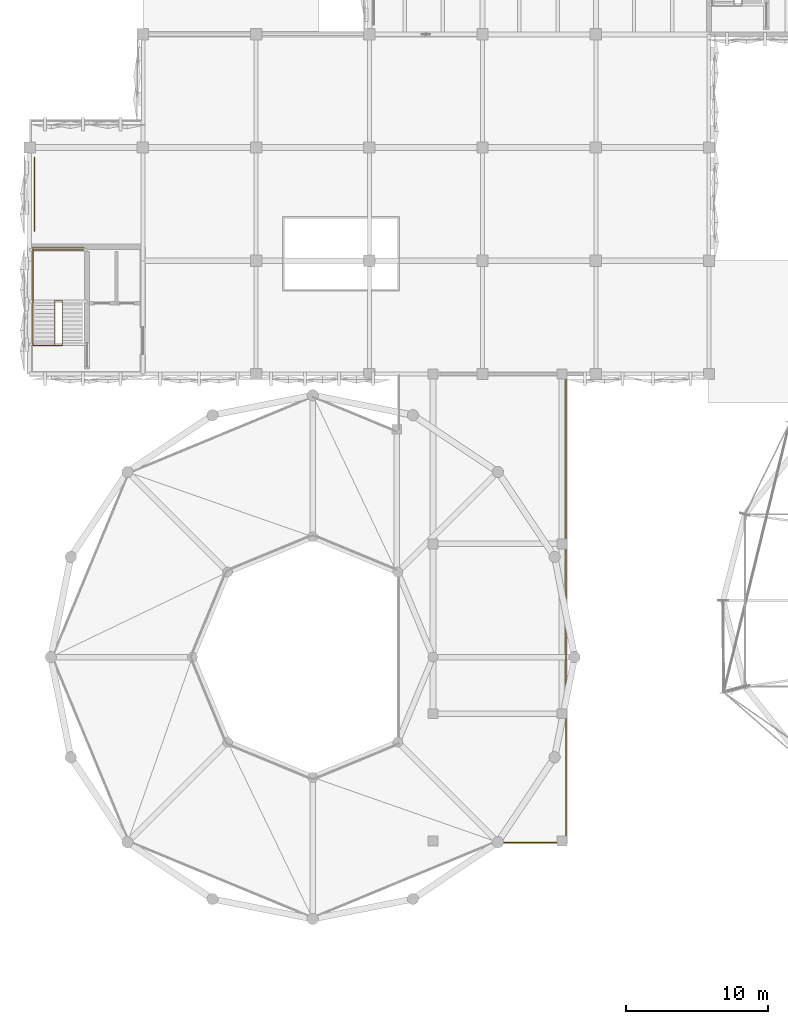
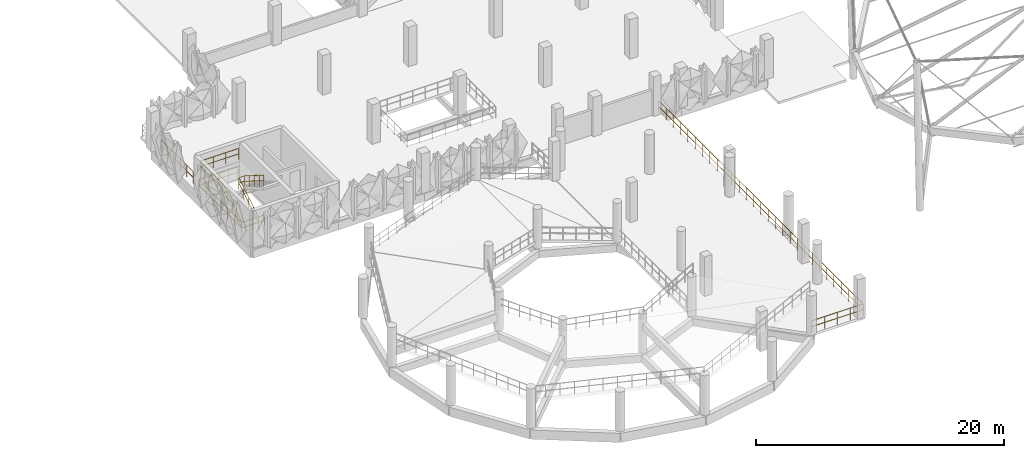
# One storey, part 84 of 96: 5 railings.
"""IFC4 building model written with IfcOpenShell, lengths in metres."""

import ifcopenshell
import ifcopenshell.guid

model = None  # the IFC model being written
_history = None  # IfcOwnerHistory: only IFC2X3 demands one
_inside = {}  # id of a spatial element -> (the spatial element, [elements in it])
_under = {}  # id of a project, library or spatial element -> (it, [spatial elements below it])
_declared = {}  # id of a project -> (the project, [libraries it declares])
_typed = {}  # id of a type object -> (the type object, [elements of that type])
_made_of = {}  # id of a material, layer set ... -> (it, [elements and type objects made of it])


def new_model(schema):
    """Start an empty IFC model of exactly this schema.

    Asked for "IFC4X3", IfcOpenShell would pick the latest addendum, in which some entities
    have other attributes; the version numbers below select the first issue.
    IFC2X3 requires an IfcOwnerHistory on every rooted entity: one is made here for all.
    """
    global model, _history
    if schema == "IFC4X3":
        model = ifcopenshell.file(schema_version=(4, 3, 0, 0))
    else:
        model = ifcopenshell.file(schema=schema)
    _inside.clear()
    _under.clear()
    _declared.clear()
    _typed.clear()
    _made_of.clear()
    _history = None
    if model.schema == "IFC2X3":
        org = make("IfcOrganization", Name="unknown")
        user = make(
            "IfcPersonAndOrganization",
            ThePerson=make("IfcPerson", FamilyName="unknown"),
            TheOrganization=org,
        )
        app = make(
            "IfcApplication",
            ApplicationDeveloper=org,
            Version="unknown",
            ApplicationFullName="unknown",
            ApplicationIdentifier="unknown",
        )
        _history = make(
            "IfcOwnerHistory",
            OwningUser=user,
            OwningApplication=app,
            ChangeAction="ADDED",
            CreationDate=0,
        )
    return model


def make(cls, **values):
    """One entity of the class cls with the attributes given. An attribute that is None is left unset."""
    return model.create_entity(
        cls, **{name: value for name, value in values.items() if value is not None}
    )


def rooted(cls, **values):
    """An entity with a GlobalId (a new one), such as an element, a storey or a relation."""
    return make(cls, GlobalId=ifcopenshell.guid.new(), OwnerHistory=_history, **values)


def si_unit(unit_type, name, prefix=None):
    """IfcSIUnit, for example si_unit("LENGTHUNIT", "METRE", prefix="MILLI")."""
    return make("IfcSIUnit", UnitType=unit_type, Prefix=prefix, Name=name)


def derived_unit(unit_type, elements):
    """IfcDerivedUnit: a product of units, each with its exponent."""
    return make(
        "IfcDerivedUnit",
        Elements=[
            make("IfcDerivedUnitElement", Unit=unit, Exponent=power)
            for unit, power in elements
        ],
        UnitType=unit_type,
    )


def assignment(units):
    """IfcUnitAssignment: the units of a project."""
    return None if units is None else make("IfcUnitAssignment", Units=units)


def point(xyz):
    """IfcCartesianPoint."""
    return None if xyz is None else make("IfcCartesianPoint", Coordinates=xyz)


def direction(xyz):
    """IfcDirection."""
    return None if xyz is None else make("IfcDirection", DirectionRatios=xyz)


def frame(location, z_axis=None, x_axis=None):
    """IfcAxis2Placement3D, a coordinate frame: its origin and axes. An axis left out is left unset."""
    return make(
        "IfcAxis2Placement3D",
        Location=point(location),
        Axis=direction(z_axis),
        RefDirection=direction(x_axis),
    )


def frame_2d(location, x_axis=None):
    """IfcAxis2Placement2D, a coordinate frame in the plane: its origin and x axis."""
    return make(
        "IfcAxis2Placement2D", Location=point(location), RefDirection=direction(x_axis)
    )


def origin():
    """The frame at (0, 0, 0) with its axes left unset."""
    return frame((0.0, 0.0, 0.0))


def origin_2d():
    """The frame at (0, 0) in the plane with its x axis left unset."""
    return frame_2d((0.0, 0.0))


def place(relative_to, where):
    """IfcLocalPlacement: puts the frame where relative to a parent placement (None: the world)."""
    return make(
        "IfcLocalPlacement", PlacementRelTo=relative_to, RelativePlacement=where
    )


def context(
    kind, dimensions, precision=None, world=None, true_north=None, identifier=None
):
    """IfcGeometricRepresentationContext, for example the 3D "Model" context."""
    return make(
        "IfcGeometricRepresentationContext",
        ContextIdentifier=identifier,
        ContextType=kind,
        CoordinateSpaceDimension=dimensions,
        Precision=precision,
        WorldCoordinateSystem=world,
        TrueNorth=true_north,
    )


def subcontext(parent, identifier, kind, view, scale=None):
    """IfcGeometricRepresentationSubContext, for example "Body" below "Model"."""
    return make(
        "IfcGeometricRepresentationSubContext",
        ContextIdentifier=identifier,
        ContextType=kind,
        ParentContext=parent,
        TargetScale=scale,
        TargetView=view,
    )


def project(units=None, contexts=None):
    """IfcProject with its units and contexts."""
    return rooted(
        "IfcProject",
        Name="project",
        RepresentationContexts=contexts,
        UnitsInContext=assignment(units),
    )


def spatial(cls, under=None, at=None, **own):
    """A site, building, storey or space (cls), placed at a placement, below another one or the project."""
    s = rooted(cls, ObjectPlacement=at, **own)
    if under is not None:
        _under.setdefault(under.id(), (under, []))[1].append(s)
    return s


def profile(cls, at=None, kind="AREA", **sizes):
    """A parametric profile (cls). Its sizes go by their IFC names, for example OverallWidth=200.0."""
    return make(cls, ProfileType=kind, Position=at, **sizes)


def circle(**sizes):
    """IfcCircleProfileDef."""
    return profile("IfcCircleProfileDef", **sizes)


def extrude(swept, where, along, depth):
    """IfcExtrudedAreaSolid: the profile swept, set in the frame where, extruded along a direction by depth."""
    return make(
        "IfcExtrudedAreaSolid",
        SweptArea=swept,
        Position=where,
        ExtrudedDirection=direction(along),
        Depth=depth,
    )


def shape(context_of_items, identifier, shape_type, items):
    """IfcShapeRepresentation: the items that make up one representation, for example the "Body"."""
    return make(
        "IfcShapeRepresentation",
        ContextOfItems=context_of_items,
        RepresentationIdentifier=identifier,
        RepresentationType=shape_type,
        Items=items,
    )


def material(Name=None, Category=None):
    """IfcMaterial."""
    return make("IfcMaterial", Name=Name, Category=Category)


def made_of(thing, what):
    """Note that an element or type object is made of a material, layer set ...; save() writes the relation."""
    if what is not None:
        _made_of.setdefault(what.id(), (what, []))[1].append(thing)
    return thing


def type_object(cls, material=None, **own):
    """A type object (cls), such as IfcWallType, which elements share."""
    return made_of(rooted(cls, **own), material)


def element(
    cls,
    number,
    at=None,
    inside=None,
    cuts=None,
    type_object=None,
    material=None,
    context=None,
    identifier="Body",
    shape_type=None,
    held_by="IfcProductDefinitionShape",
    body=None,
    shapes=None,
    **own,
):
    """One element of the class cls, such as IfcWall. Its Tag is "e" and its number.

    at: its placement. inside: the storey or other place that contains it. cuts: it is an
    opening in that element (IfcRelVoidsElement). A single representation is given by context,
    identifier, shape_type and body (its items); several are given by shapes. held_by: the class
    of the entity that holds the representations. save() writes the other relations.
    """
    e = rooted(cls, Tag="e%d" % number, ObjectPlacement=at, **own)
    if body is not None:
        shapes = [shape(context, identifier, shape_type, body)]
    if shapes is not None:
        e.Representation = make(held_by, Representations=shapes)
    if inside is not None:
        _inside.setdefault(inside.id(), (inside, []))[1].append(e)
    if cuts is not None:
        rooted(
            "IfcRelVoidsElement", RelatingBuildingElement=cuts, RelatedOpeningElement=e
        )
    if type_object is not None:
        _typed.setdefault(type_object.id(), (type_object, []))[1].append(e)
    return made_of(e, material)


def aggregate(whole, parts):
    """IfcRelAggregates: a whole, such as a stair, and the parts it consists of."""
    return rooted("IfcRelAggregates", RelatingObject=whole, RelatedObjects=parts)


def save(model, path):
    """Write the relations noted so far, then the file.

    IfcRelAggregates (storeys below a building ...), IfcRelContainedInSpatialStructure (elements
    in a storey), IfcRelDefinesByType, IfcRelAssociatesMaterial and IfcRelDeclares: one each for
    every whole, place, type object, material and project.
    """
    for whole, parts in _under.values():
        aggregate(whole, parts)
    for where, things in _inside.values():
        rooted(
            "IfcRelContainedInSpatialStructure",
            RelatedElements=things,
            RelatingStructure=where,
        )
    for kind, things in _typed.values():
        rooted("IfcRelDefinesByType", RelatedObjects=things, RelatingType=kind)
    for what, things in _made_of.values():
        rooted("IfcRelAssociatesMaterial", RelatedObjects=things, RelatingMaterial=what)
    for by, libraries in _declared.values():
        rooted("IfcRelDeclares", RelatingContext=by, RelatedDefinitions=libraries)
    model.write(path)


model = new_model("IFC4")

# Units and contexts
model_context = context("Model", 3, precision=1e-05, world=origin(), true_north=direction((0.0, 1.0)))
body_context = subcontext(model_context, "Body", "Model", "MODEL_VIEW")
ifc_project = project(units=[si_unit("LENGTHUNIT", "METRE"), si_unit("AREAUNIT", "SQUARE_METRE"), si_unit("VOLUMEUNIT", "CUBIC_METRE"), si_unit("PLANEANGLEUNIT", "RADIAN"), si_unit("MASSUNIT", "GRAM", prefix="KILO"), si_unit("THERMODYNAMICTEMPERATUREUNIT", "KELVIN"), derived_unit("THERMALTRANSMITTANCEUNIT", [(si_unit("POWERUNIT", "WATT"), 1), (si_unit("AREAUNIT", "SQUARE_METRE"), -1), (si_unit("THERMODYNAMICTEMPERATUREUNIT", "KELVIN"), -1)])], contexts=[model_context])

# Site, building, storey
site_placement = place(None, origin())
site = spatial("IfcSite", under=ifc_project, at=site_placement, CompositionType="ELEMENT")
building_placement = place(site_placement, origin())
building = spatial("IfcBuilding", under=site, at=building_placement, Name="Haiyu Intermodal Mobility Hub", CompositionType="ELEMENT")
storey_placement = place(building_placement, frame((0.0, 0.0, 9.5)))
storey = spatial("IfcBuildingStorey", under=building, at=storey_placement, Name="L02", CompositionType="ELEMENT", Elevation=9.5)

# Railings
ifc_material = material(Name="Steel Q355C", Category="steel")
railing_type_1 = type_object("IfcRailingType", Name="RAL-GR01", PredefinedType="GUARDRAIL", material=ifc_material)
railing_1_placement = place(storey_placement, frame((47.10009765625, 46.89990234375, 0.0)))
element("IfcRailing", 1, at=railing_1_placement, inside=storey, type_object=railing_type_1, Name="L02 Ramp Arrival Deck South-East Guard", PredefinedType="GUARDRAIL", context=body_context, shape_type="SweptSolid", body=[
    extrude(circle(Radius=0.02392578125, at=origin_2d()), frame((0.030029296875, 0.0, 1.17578125), z_axis=(1.0, 0.0, 0.0), x_axis=(0.0, 1.0, 0.0)), (0.0, 0.0, 1.0), 4.73974609375),
    extrude(circle(Radius=0.02392578125, at=origin_2d()), frame((0.037353515625, 0.0, 0.60009765625), z_axis=(1.0, 0.0, 0.0), x_axis=(0.0, 1.0, 0.0)), (0.0, 0.0, 1.0), 1.125244140625),
    extrude(circle(Radius=0.02392578125, at=origin_2d()), frame((1.2373046875, 0.0, 0.60009765625), z_axis=(1.0, 0.0, 0.0), x_axis=(0.0, 1.0, 0.0)), (0.0, 0.0, 1.0), 1.125244140625),
    extrude(circle(Radius=0.02392578125, at=origin_2d()), frame((2.437255859375, 0.0, 0.60009765625), z_axis=(1.0, 0.0, 0.0), x_axis=(0.0, 1.0, 0.0)), (0.0, 0.0, 1.0), 1.125244140625),
    extrude(circle(Radius=0.02392578125, at=origin_2d()), frame((3.63720703125, 0.0, 0.60009765625), z_axis=(1.0, 0.0, 0.0), x_axis=(0.0, 1.0, 0.0)), (0.0, 0.0, 1.0), 1.125244140625),
    extrude(circle(Radius=0.02392578125, at=origin_2d()), frame((4.7998046875, 0.030029296875, 1.17578125), z_axis=(0.0, 1.0, 0.0), x_axis=(-1.0, 0.0, 0.0)), (0.0, 0.0, 1.0), 32.9599609375),
    extrude(circle(Radius=0.02392578125, at=origin_2d()), frame((4.7998046875, 0.037353515625, 0.60009765625), z_axis=(0.0, 1.0, 0.0), x_axis=(-1.0, 0.0, 0.0)), (0.0, 0.0, 1.0), 1.104736328125),
    extrude(circle(Radius=0.02392578125, at=origin_2d()), frame((4.7998046875, 1.216552734375, 0.60009765625), z_axis=(0.0, 1.0, 0.0), x_axis=(-1.0, 0.0, 0.0)), (0.0, 0.0, 1.0), 1.104736328125),
    extrude(circle(Radius=0.02392578125, at=origin_2d()), frame((4.7998046875, 2.395751953125, 0.60009765625), z_axis=(0.0, 1.0, 0.0), x_axis=(-1.0, 0.0, 0.0)), (0.0, 0.0, 1.0), 1.104736328125),
    extrude(circle(Radius=0.02392578125, at=origin_2d()), frame((4.7998046875, 3.5751953125, 0.60009765625), z_axis=(0.0, 1.0, 0.0), x_axis=(-1.0, 0.0, 0.0)), (0.0, 0.0, 1.0), 1.104736328125),
    extrude(circle(Radius=0.02392578125, at=origin_2d()), frame((4.7998046875, 4.75439453125, 0.60009765625), z_axis=(0.0, 1.0, 0.0), x_axis=(-1.0, 0.0, 0.0)), (0.0, 0.0, 1.0), 1.104736328125),
    extrude(circle(Radius=0.02392578125, at=origin_2d()), frame((4.7998046875, 5.933837890625, 0.60009765625), z_axis=(0.0, 1.0, 0.0), x_axis=(-1.0, 0.0, 0.0)), (0.0, 0.0, 1.0), 1.104736328125),
    extrude(circle(Radius=0.02392578125, at=origin_2d()), frame((4.7998046875, 7.113037109375, 0.60009765625), z_axis=(0.0, 1.0, 0.0), x_axis=(-1.0, 0.0, 0.0)), (0.0, 0.0, 1.0), 1.104736328125),
    extrude(circle(Radius=0.02392578125, at=origin_2d()), frame((4.7998046875, 8.292236328125, 0.60009765625), z_axis=(0.0, 1.0, 0.0), x_axis=(-1.0, 0.0, 0.0)), (0.0, 0.0, 1.0), 1.104736328125),
    extrude(circle(Radius=0.02392578125, at=origin_2d()), frame((4.7998046875, 9.4716796875, 0.60009765625), z_axis=(0.0, 1.0, 0.0), x_axis=(-1.0, 0.0, 0.0)), (0.0, 0.0, 1.0), 1.104736328125),
    extrude(circle(Radius=0.02392578125, at=origin_2d()), frame((4.7998046875, 10.65087890625, 0.60009765625), z_axis=(0.0, 1.0, 0.0), x_axis=(-1.0, 0.0, 0.0)), (0.0, 0.0, 1.0), 1.104736328125),
    extrude(circle(Radius=0.02392578125, at=origin_2d()), frame((4.7998046875, 11.830078125, 0.60009765625), z_axis=(0.0, 1.0, 0.0), x_axis=(-1.0, 0.0, 0.0)), (0.0, 0.0, 1.0), 1.104736328125),
    extrude(circle(Radius=0.02392578125, at=origin_2d()), frame((4.7998046875, 13.009521484375, 0.60009765625), z_axis=(0.0, 1.0, 0.0), x_axis=(-1.0, 0.0, 0.0)), (0.0, 0.0, 1.0), 1.104736328125),
    extrude(circle(Radius=0.02392578125, at=origin_2d()), frame((4.7998046875, 14.188720703125, 0.60009765625), z_axis=(0.0, 1.0, 0.0), x_axis=(-1.0, 0.0, 0.0)), (0.0, 0.0, 1.0), 1.104736328125),
    extrude(circle(Radius=0.02392578125, at=origin_2d()), frame((4.7998046875, 15.367919921875, 0.60009765625), z_axis=(0.0, 1.0, 0.0), x_axis=(-1.0, 0.0, 0.0)), (0.0, 0.0, 1.0), 1.104736328125),
    extrude(circle(Radius=0.02392578125, at=origin_2d()), frame((4.7998046875, 16.54736328125, 0.60009765625), z_axis=(0.0, 1.0, 0.0), x_axis=(-1.0, 0.0, 0.0)), (0.0, 0.0, 1.0), 1.104736328125),
    extrude(circle(Radius=0.02392578125, at=origin_2d()), frame((4.7998046875, 17.7265625, 0.60009765625), z_axis=(0.0, 1.0, 0.0), x_axis=(-1.0, 0.0, 0.0)), (0.0, 0.0, 1.0), 1.104736328125),
    extrude(circle(Radius=0.02392578125, at=origin_2d()), frame((4.7998046875, 18.90576171875, 0.60009765625), z_axis=(0.0, 1.0, 0.0), x_axis=(-1.0, 0.0, 0.0)), (0.0, 0.0, 1.0), 1.104736328125),
    extrude(circle(Radius=0.02392578125, at=origin_2d()), frame((4.7998046875, 20.085205078125, 0.60009765625), z_axis=(0.0, 1.0, 0.0), x_axis=(-1.0, 0.0, 0.0)), (0.0, 0.0, 1.0), 1.104736328125),
    extrude(circle(Radius=0.02392578125, at=origin_2d()), frame((4.7998046875, 21.264404296875, 0.60009765625), z_axis=(0.0, 1.0, 0.0), x_axis=(-1.0, 0.0, 0.0)), (0.0, 0.0, 1.0), 1.104736328125),
    extrude(circle(Radius=0.02392578125, at=origin_2d()), frame((4.7998046875, 22.44384765625, 0.60009765625), z_axis=(0.0, 1.0, 0.0), x_axis=(-1.0, 0.0, 0.0)), (0.0, 0.0, 1.0), 1.104736328125),
    extrude(circle(Radius=0.02392578125, at=origin_2d()), frame((4.7998046875, 23.623046875, 0.60009765625), z_axis=(0.0, 1.0, 0.0), x_axis=(-1.0, 0.0, 0.0)), (0.0, 0.0, 1.0), 1.104736328125),
    extrude(circle(Radius=0.02392578125, at=origin_2d()), frame((4.7998046875, 24.80224609375, 0.60009765625), z_axis=(0.0, 1.0, 0.0), x_axis=(-1.0, 0.0, 0.0)), (0.0, 0.0, 1.0), 1.104736328125),
    extrude(circle(Radius=0.02392578125, at=origin_2d()), frame((4.7998046875, 25.981689453125, 0.60009765625), z_axis=(0.0, 1.0, 0.0), x_axis=(-1.0, 0.0, 0.0)), (0.0, 0.0, 1.0), 1.104736328125),
    extrude(circle(Radius=0.02392578125, at=origin_2d()), frame((4.7998046875, 27.160888671875, 0.60009765625), z_axis=(0.0, 1.0, 0.0), x_axis=(-1.0, 0.0, 0.0)), (0.0, 0.0, 1.0), 1.104736328125),
    extrude(circle(Radius=0.02392578125, at=origin_2d()), frame((4.7998046875, 28.340087890625, 0.60009765625), z_axis=(0.0, 1.0, 0.0), x_axis=(-1.0, 0.0, 0.0)), (0.0, 0.0, 1.0), 1.104736328125),
    extrude(circle(Radius=0.02392578125, at=origin_2d()), frame((4.7998046875, 29.51953125, 0.60009765625), z_axis=(0.0, 1.0, 0.0), x_axis=(-1.0, 0.0, 0.0)), (0.0, 0.0, 1.0), 1.104736328125),
    extrude(circle(Radius=0.02392578125, at=origin_2d()), frame((4.7998046875, 30.69873046875, 0.60009765625), z_axis=(0.0, 1.0, 0.0), x_axis=(-1.0, 0.0, 0.0)), (0.0, 0.0, 1.0), 1.104736328125),
    extrude(circle(Radius=0.02392578125, at=origin_2d()), frame((4.7998046875, 31.8779296875, 0.60009765625), z_axis=(0.0, 1.0, 0.0), x_axis=(-1.0, 0.0, 0.0)), (0.0, 0.0, 1.0), 1.104736328125),
    extrude(circle(Radius=0.02099609375, at=origin_2d()), origin(), (0.0, 0.0, 1.0), 1.143798828125),
    extrude(circle(Radius=0.02099609375, at=origin_2d()), frame((1.199951171875, 0.0, 0.0)), (0.0, 0.0, 1.0), 1.143798828125),
    extrude(circle(Radius=0.02099609375, at=origin_2d()), frame((2.39990234375, 0.0, 0.0)), (0.0, 0.0, 1.0), 1.143798828125),
    extrude(circle(Radius=0.02099609375, at=origin_2d()), frame((3.599853515625, 0.0, 0.0)), (0.0, 0.0, 1.0), 1.143798828125),
    extrude(circle(Radius=0.02099609375, at=origin_2d()), frame((4.7998046875, 0.0, 0.0)), (0.0, 0.0, 1.0), 1.143798828125),
    extrude(circle(Radius=0.02099609375, at=origin_2d()), frame((4.7998046875, 1.17919921875, 0.0)), (0.0, 0.0, 1.0), 1.143798828125),
    extrude(circle(Radius=0.02099609375, at=origin_2d()), frame((4.7998046875, 2.358642578125, 0.0)), (0.0, 0.0, 1.0), 1.143798828125),
    extrude(circle(Radius=0.02099609375, at=origin_2d()), frame((4.7998046875, 3.537841796875, 0.0)), (0.0, 0.0, 1.0), 1.143798828125),
    extrude(circle(Radius=0.02099609375, at=origin_2d()), frame((4.7998046875, 4.717041015625, 0.0)), (0.0, 0.0, 1.0), 1.143798828125),
    extrude(circle(Radius=0.02099609375, at=origin_2d()), frame((4.7998046875, 5.896484375, 0.0)), (0.0, 0.0, 1.0), 1.143798828125),
    extrude(circle(Radius=0.02099609375, at=origin_2d()), frame((4.7998046875, 7.07568359375, 0.0)), (0.0, 0.0, 1.0), 1.143798828125),
    extrude(circle(Radius=0.02099609375, at=origin_2d()), frame((4.7998046875, 8.2548828125, 0.0)), (0.0, 0.0, 1.0), 1.143798828125),
    extrude(circle(Radius=0.02099609375, at=origin_2d()), frame((4.7998046875, 9.434326171875, 0.0)), (0.0, 0.0, 1.0), 1.143798828125),
    extrude(circle(Radius=0.02099609375, at=origin_2d()), frame((4.7998046875, 10.613525390625, 0.0)), (0.0, 0.0, 1.0), 1.143798828125),
    extrude(circle(Radius=0.02099609375, at=origin_2d()), frame((4.7998046875, 11.79296875, 0.0)), (0.0, 0.0, 1.0), 1.143798828125),
    extrude(circle(Radius=0.02099609375, at=origin_2d()), frame((4.7998046875, 12.97216796875, 0.0)), (0.0, 0.0, 1.0), 1.143798828125),
    extrude(circle(Radius=0.02099609375, at=origin_2d()), frame((4.7998046875, 14.1513671875, 0.0)), (0.0, 0.0, 1.0), 1.143798828125),
    extrude(circle(Radius=0.02099609375, at=origin_2d()), frame((4.7998046875, 15.330810546875, 0.0)), (0.0, 0.0, 1.0), 1.143798828125),
    extrude(circle(Radius=0.02099609375, at=origin_2d()), frame((4.7998046875, 16.510009765625, 0.0)), (0.0, 0.0, 1.0), 1.143798828125),
    extrude(circle(Radius=0.02099609375, at=origin_2d()), frame((4.7998046875, 17.689208984375, 0.0)), (0.0, 0.0, 1.0), 1.143798828125),
    extrude(circle(Radius=0.02099609375, at=origin_2d()), frame((4.7998046875, 18.86865234375, 0.0)), (0.0, 0.0, 1.0), 1.143798828125),
    extrude(circle(Radius=0.02099609375, at=origin_2d()), frame((4.7998046875, 20.0478515625, 0.0)), (0.0, 0.0, 1.0), 1.143798828125),
    extrude(circle(Radius=0.02099609375, at=origin_2d()), frame((4.7998046875, 21.22705078125, 0.0)), (0.0, 0.0, 1.0), 1.143798828125),
    extrude(circle(Radius=0.02099609375, at=origin_2d()), frame((4.7998046875, 22.406494140625, 0.0)), (0.0, 0.0, 1.0), 1.143798828125),
    extrude(circle(Radius=0.02099609375, at=origin_2d()), frame((4.7998046875, 23.585693359375, 0.0)), (0.0, 0.0, 1.0), 1.143798828125),
    extrude(circle(Radius=0.02099609375, at=origin_2d()), frame((4.7998046875, 24.76513671875, 0.0)), (0.0, 0.0, 1.0), 1.143798828125),
    extrude(circle(Radius=0.02099609375, at=origin_2d()), frame((4.7998046875, 25.9443359375, 0.0)), (0.0, 0.0, 1.0), 1.143798828125),
    extrude(circle(Radius=0.02099609375, at=origin_2d()), frame((4.7998046875, 27.12353515625, 0.0)), (0.0, 0.0, 1.0), 1.143798828125),
    extrude(circle(Radius=0.02099609375, at=origin_2d()), frame((4.7998046875, 28.302978515625, 0.0)), (0.0, 0.0, 1.0), 1.143798828125),
    extrude(circle(Radius=0.02099609375, at=origin_2d()), frame((4.7998046875, 29.482177734375, 0.0)), (0.0, 0.0, 1.0), 1.143798828125),
    extrude(circle(Radius=0.02099609375, at=origin_2d()), frame((4.7998046875, 30.661376953125, 0.0)), (0.0, 0.0, 1.0), 1.143798828125),
    extrude(circle(Radius=0.02099609375, at=origin_2d()), frame((4.7998046875, 31.8408203125, 0.0)), (0.0, 0.0, 1.0), 1.143798828125),
    extrude(circle(Radius=0.02099609375, at=origin_2d()), frame((4.7998046875, 33.02001953125, 0.0)), (0.0, 0.0, 1.0), 1.143798828125),
])
railing_2_placement = place(storey_placement, frame((14.340087890625, 95.300048828125, 0.0)))
element("IfcRailing", 2, at=railing_2_placement, inside=storey, type_object=railing_type_1, Name="RAL-CAR-WW-0093", PredefinedType="GUARDRAIL", context=body_context, shape_type="SweptSolid", body=[
    extrude(circle(Radius=0.02392578125, at=origin_2d()), frame((0.0, -0.030029296875, 1.17578125), z_axis=(0.0, -1.0, 0.0), x_axis=(1.0, 0.0, 0.0)), (0.0, 0.0, 1.0), 5.139892578125),
    extrude(circle(Radius=0.02392578125, at=origin_2d()), frame((0.0, -0.037353515625, 0.60009765625), z_axis=(0.0, -1.0, 0.0), x_axis=(1.0, 0.0, 0.0)), (0.0, 0.0, 1.0), 0.96533203125),
    extrude(circle(Radius=0.02392578125, at=origin_2d()), frame((0.0, -1.077392578125, 0.60009765625), z_axis=(0.0, -1.0, 0.0), x_axis=(1.0, 0.0, 0.0)), (0.0, 0.0, 1.0), 0.96533203125),
    extrude(circle(Radius=0.02392578125, at=origin_2d()), frame((0.0, -2.1171875, 0.60009765625), z_axis=(0.0, -1.0, 0.0), x_axis=(1.0, 0.0, 0.0)), (0.0, 0.0, 1.0), 0.96533203125),
    extrude(circle(Radius=0.02392578125, at=origin_2d()), frame((0.0, -3.1572265625, 0.60009765625), z_axis=(0.0, -1.0, 0.0), x_axis=(1.0, 0.0, 0.0)), (0.0, 0.0, 1.0), 0.96533203125),
    extrude(circle(Radius=0.02392578125, at=origin_2d()), frame((0.0, -4.197265625, 0.60009765625), z_axis=(0.0, -1.0, 0.0), x_axis=(1.0, 0.0, 0.0)), (0.0, 0.0, 1.0), 0.96533203125),
    extrude(circle(Radius=0.02099609375, at=origin_2d()), origin(), (0.0, 0.0, 1.0), 1.143798828125),
    extrude(circle(Radius=0.02099609375, at=origin_2d()), frame((0.0, -1.0400390625, 0.0)), (0.0, 0.0, 1.0), 1.143798828125),
    extrude(circle(Radius=0.02099609375, at=origin_2d()), frame((0.0, -2.080078125, 0.0)), (0.0, 0.0, 1.0), 1.143798828125),
    extrude(circle(Radius=0.02099609375, at=origin_2d()), frame((0.0, -3.119873046875, 0.0)), (0.0, 0.0, 1.0), 1.143798828125),
    extrude(circle(Radius=0.02099609375, at=origin_2d()), frame((0.0, -4.159912109375, 0.0)), (0.0, 0.0, 1.0), 1.143798828125),
    extrude(circle(Radius=0.02099609375, at=origin_2d()), frame((0.0, -5.199951171875, 0.0)), (0.0, 0.0, 1.0), 1.143798828125),
])
railing_type_2 = type_object("IfcRailingType", Name="RAL-GR03", PredefinedType="GUARDRAIL", material=ifc_material)
railing_3_placement = place(storey_placement, frame((16.31005859375, 82.010009765625, 0.0)))
element("IfcRailing", 3, at=railing_3_placement, inside=storey, type_object=railing_type_2, Name="Stair Shaft Floor Guard STR-C7-L01", PredefinedType="GUARDRAIL", context=body_context, shape_type="SweptSolid", body=[
    extrude(circle(Radius=0.02392578125, at=origin_2d()), frame((-0.030029296875, 0.0, 1.09619140625), z_axis=(-1.0, 0.0, 0.0), x_axis=(0.0, -1.0, 0.0)), (0.0, 0.0, 1.0), 2.030029296875),
    extrude(circle(Radius=0.02392578125, at=origin_2d()), frame((-0.037353515625, 0.0, 0.56005859375), z_axis=(-1.0, 0.0, 0.0), x_axis=(0.0, -1.0, 0.0)), (0.0, 0.0, 1.0), 0.970458984375),
    extrude(circle(Radius=0.02392578125, at=origin_2d()), frame((-1.082275390625, 0.0, 0.56005859375), z_axis=(-1.0, 0.0, 0.0), x_axis=(0.0, -1.0, 0.0)), (0.0, 0.0, 1.0), 0.970458984375),
    extrude(circle(Radius=0.02392578125, at=origin_2d()), frame((-2.090087890625, 0.030029296875, 1.09619140625), z_axis=(0.0, 1.0, 0.0), x_axis=(-1.0, 0.0, 0.0)), (0.0, 0.0, 1.0), 6.8798828125),
    extrude(circle(Radius=0.02392578125, at=origin_2d()), frame((-2.090087890625, 0.037353515625, 0.56005859375), z_axis=(0.0, 1.0, 0.0), x_axis=(-1.0, 0.0, 0.0)), (0.0, 0.0, 1.0), 1.08203125),
    extrude(circle(Radius=0.02392578125, at=origin_2d()), frame((-2.090087890625, 1.19384765625, 0.56005859375), z_axis=(0.0, 1.0, 0.0), x_axis=(-1.0, 0.0, 0.0)), (0.0, 0.0, 1.0), 1.08203125),
    extrude(circle(Radius=0.02392578125, at=origin_2d()), frame((-2.090087890625, 2.3505859375, 0.56005859375), z_axis=(0.0, 1.0, 0.0), x_axis=(-1.0, 0.0, 0.0)), (0.0, 0.0, 1.0), 1.08203125),
    extrude(circle(Radius=0.02392578125, at=origin_2d()), frame((-2.090087890625, 3.50732421875, 0.56005859375), z_axis=(0.0, 1.0, 0.0), x_axis=(-1.0, 0.0, 0.0)), (0.0, 0.0, 1.0), 1.08203125),
    extrude(circle(Radius=0.02392578125, at=origin_2d()), frame((-2.090087890625, 4.663818359375, 0.56005859375), z_axis=(0.0, 1.0, 0.0), x_axis=(-1.0, 0.0, 0.0)), (0.0, 0.0, 1.0), 1.08203125),
    extrude(circle(Radius=0.02392578125, at=origin_2d()), frame((-2.090087890625, 5.820556640625, 0.56005859375), z_axis=(0.0, 1.0, 0.0), x_axis=(-1.0, 0.0, 0.0)), (0.0, 0.0, 1.0), 1.08203125),
    extrude(circle(Radius=0.02392578125, at=origin_2d()), frame((-2.06005859375, 6.93994140625, 1.09619140625), z_axis=(1.0, 0.0, 0.0), x_axis=(0.0, 1.0, 0.0)), (0.0, 0.0, 1.0), 3.590087890625),
    extrude(circle(Radius=0.02392578125, at=origin_2d()), frame((-2.052734375, 6.93994140625, 0.56005859375), z_axis=(1.0, 0.0, 0.0), x_axis=(0.0, 1.0, 0.0)), (0.0, 0.0, 1.0), 0.837890625),
    extrude(circle(Radius=0.02392578125, at=origin_2d()), frame((-1.14013671875, 6.93994140625, 0.56005859375), z_axis=(1.0, 0.0, 0.0), x_axis=(0.0, 1.0, 0.0)), (0.0, 0.0, 1.0), 0.837890625),
    extrude(circle(Radius=0.02392578125, at=origin_2d()), frame((-0.227783203125, 6.93994140625, 0.56005859375), z_axis=(1.0, 0.0, 0.0), x_axis=(0.0, 1.0, 0.0)), (0.0, 0.0, 1.0), 0.837890625),
    extrude(circle(Radius=0.02392578125, at=origin_2d()), frame((0.684814453125, 6.93994140625, 0.56005859375), z_axis=(1.0, 0.0, 0.0), x_axis=(0.0, 1.0, 0.0)), (0.0, 0.0, 1.0), 0.837890625),
    extrude(circle(Radius=0.02099609375, at=origin_2d()), origin(), (0.0, 0.0, 1.0), 1.06396484375),
    extrude(circle(Radius=0.02099609375, at=origin_2d()), frame((-1.044921875, 0.0, 0.0)), (0.0, 0.0, 1.0), 1.06396484375),
    extrude(circle(Radius=0.02099609375, at=origin_2d()), frame((-2.090087890625, 0.0, 0.0)), (0.0, 0.0, 1.0), 1.06396484375),
    extrude(circle(Radius=0.02099609375, at=origin_2d()), frame((-2.090087890625, 1.15673828125, 0.0)), (0.0, 0.0, 1.0), 1.06396484375),
    extrude(circle(Radius=0.02099609375, at=origin_2d()), frame((-2.090087890625, 2.313232421875, 0.0)), (0.0, 0.0, 1.0), 1.06396484375),
    extrude(circle(Radius=0.02099609375, at=origin_2d()), frame((-2.090087890625, 3.469970703125, 0.0)), (0.0, 0.0, 1.0), 1.06396484375),
    extrude(circle(Radius=0.02099609375, at=origin_2d()), frame((-2.090087890625, 4.626708984375, 0.0)), (0.0, 0.0, 1.0), 1.06396484375),
    extrude(circle(Radius=0.02099609375, at=origin_2d()), frame((-2.090087890625, 5.783203125, 0.0)), (0.0, 0.0, 1.0), 1.06396484375),
    extrude(circle(Radius=0.02099609375, at=origin_2d()), frame((-2.090087890625, 6.93994140625, 0.0)), (0.0, 0.0, 1.0), 1.06396484375),
    extrude(circle(Radius=0.02099609375, at=origin_2d()), frame((-1.177490234375, 6.93994140625, 0.0)), (0.0, 0.0, 1.0), 1.06396484375),
    extrude(circle(Radius=0.02099609375, at=origin_2d()), frame((-0.26513671875, 6.93994140625, 0.0)), (0.0, 0.0, 1.0), 1.06396484375),
    extrude(circle(Radius=0.02099609375, at=origin_2d()), frame((0.6474609375, 6.93994140625, 0.0)), (0.0, 0.0, 1.0), 1.06396484375),
    extrude(circle(Radius=0.02099609375, at=origin_2d()), frame((1.56005859375, 6.93994140625, 0.0)), (0.0, 0.0, 1.0), 1.06396484375),
])
railing_4_placement = place(storey_placement, frame((15.780029296875, 82.050048828125, 0.0)))
element("IfcRailing", 4, at=railing_4_placement, inside=storey, type_object=railing_type_2, Name="Stair Well Guard STR-C7-L02", PredefinedType="GUARDRAIL", context=body_context, shape_type="SweptSolid", body=[
    extrude(circle(Radius=0.02392578125, at=origin_2d()), frame((0.0, 0.025390625, 1.11181640625), z_axis=(0.0, 0.848756196164, 0.528784378999), x_axis=(-1.0, 0.0, 0.0)), (0.0, 0.0, 1.0), 3.627685546875),
    extrude(circle(Radius=0.02392578125, at=origin_2d()), frame((0.0, 0.03173828125, 0.579833984375), z_axis=(0.0, 0.848756196164, 0.528784378999), x_axis=(-1.0, 0.0, 0.0)), (0.0, 0.0, 1.0), 0.847412109375),
    extrude(circle(Radius=0.02392578125, at=origin_2d()), frame((0.0, 0.814208984375, 1.0673828125), z_axis=(0.0, 0.848756196164, 0.528784378999), x_axis=(-1.0, 0.0, 0.0)), (0.0, 0.0, 1.0), 0.847412109375),
    extrude(circle(Radius=0.02392578125, at=origin_2d()), frame((0.0, 1.5966796875, 1.5546875), z_axis=(0.0, 0.848756196164, 0.528784378999), x_axis=(-1.0, 0.0, 0.0)), (0.0, 0.0, 1.0), 0.847412109375),
    extrude(circle(Radius=0.02392578125, at=origin_2d()), frame((0.0, 2.379150390625, 2.042236328125), z_axis=(0.0, 0.848756196164, 0.528784378999), x_axis=(-1.0, 0.0, 0.0)), (0.0, 0.0, 1.0), 0.847412109375),
    extrude(circle(Radius=0.02392578125, at=origin_2d()), frame((0.030029296875, 3.1298828125, 3.0458984375), z_axis=(1.0, 0.0, 0.0), x_axis=(0.0, 1.0, 0.0)), (0.0, 0.0, 1.0), 0.469970703125),
    extrude(circle(Radius=0.02392578125, at=origin_2d()), frame((0.037353515625, 3.1298828125, 2.510009765625), z_axis=(1.0, 0.0, 0.0), x_axis=(0.0, 1.0, 0.0)), (0.0, 0.0, 1.0), 0.455322265625),
    extrude(circle(Radius=0.02392578125, at=origin_2d()), frame((0.530029296875, 3.1044921875, 3.061767578125), z_axis=(0.0, -0.848756196164, 0.528784378999), x_axis=(1.0, 0.0, 0.0)), (0.0, 0.0, 1.0), 3.627685546875),
    extrude(circle(Radius=0.02392578125, at=origin_2d()), frame((0.530029296875, 3.09814453125, 2.52978515625), z_axis=(0.0, -0.848756196164, 0.528784378999), x_axis=(1.0, 0.0, 0.0)), (0.0, 0.0, 1.0), 0.847412109375),
    extrude(circle(Radius=0.02392578125, at=origin_2d()), frame((0.530029296875, 2.315673828125, 3.017333984375), z_axis=(0.0, -0.848756196164, 0.528784378999), x_axis=(1.0, 0.0, 0.0)), (0.0, 0.0, 1.0), 0.847412109375),
    extrude(circle(Radius=0.02392578125, at=origin_2d()), frame((0.530029296875, 1.533203125, 3.504638671875), z_axis=(0.0, -0.848756196164, 0.528784378999), x_axis=(1.0, 0.0, 0.0)), (0.0, 0.0, 1.0), 0.847412109375),
    extrude(circle(Radius=0.02392578125, at=origin_2d()), frame((0.530029296875, 0.750732421875, 3.9921875), z_axis=(0.0, -0.848756196164, 0.528784378999), x_axis=(1.0, 0.0, 0.0)), (0.0, 0.0, 1.0), 0.847412109375),
    extrude(circle(Radius=0.02099609375, at=origin_2d()), origin(), (0.0, 0.0, 1.0), 1.06396484375),
    extrude(circle(Radius=0.02099609375, at=origin_2d()), frame((0.0, 0.782470703125, 0.487548828125)), (0.0, 0.0, 1.0), 1.06396484375),
    extrude(circle(Radius=0.02099609375, at=origin_2d()), frame((0.0, 1.56494140625, 0.97509765625)), (0.0, 0.0, 1.0), 1.06396484375),
    extrude(circle(Radius=0.02099609375, at=origin_2d()), frame((0.0, 2.347412109375, 1.46240234375)), (0.0, 0.0, 1.0), 1.06396484375),
    extrude(circle(Radius=0.02099609375, at=origin_2d()), frame((0.0, 3.1298828125, 1.949951171875)), (0.0, 0.0, 1.0), 1.06396484375),
    extrude(circle(Radius=0.02099609375, at=origin_2d()), frame((0.530029296875, 3.1298828125, 1.949951171875)), (0.0, 0.0, 1.0), 1.06396484375),
    extrude(circle(Radius=0.02099609375, at=origin_2d()), frame((0.530029296875, 2.347412109375, 2.4375)), (0.0, 0.0, 1.0), 1.06396484375),
    extrude(circle(Radius=0.02099609375, at=origin_2d()), frame((0.530029296875, 1.56494140625, 2.9248046875)), (0.0, 0.0, 1.0), 1.06396484375),
    extrude(circle(Radius=0.02099609375, at=origin_2d()), frame((0.530029296875, 0.782470703125, 3.412353515625)), (0.0, 0.0, 1.0), 1.06396484375),
    extrude(circle(Radius=0.02099609375, at=origin_2d()), frame((0.530029296875, 0.0, 3.89990234375)), (0.0, 0.0, 1.0), 1.06396484375),
])
railing_5_placement = place(storey_placement, frame((14.25, 82.050048828125, 0.0)))
element("IfcRailing", 5, at=railing_5_placement, inside=storey, type_object=railing_type_2, Name="Stair Outer Guard STR-C7-L02", PredefinedType="GUARDRAIL", context=body_context, shape_type="SweptSolid", body=[
    extrude(circle(Radius=0.02392578125, at=origin_2d()), frame((0.0, 0.025390625, 1.112060546875), z_axis=(0.0, 0.844894753029, 0.534932571736), x_axis=(-1.0, 0.0, 0.0)), (0.0, 0.0, 1.0), 3.585205078125),
    extrude(circle(Radius=0.02392578125, at=origin_2d()), frame((0.0, 0.031494140625, 0.580078125), z_axis=(0.0, 0.844894753029, 0.534932571736), x_axis=(-1.0, 0.0, 0.0)), (0.0, 0.0, 1.0), 0.836669921875),
    extrude(circle(Radius=0.02392578125, at=origin_2d()), frame((0.0, 0.801513671875, 1.0673828125), z_axis=(0.0, 0.844894753029, 0.534932571736), x_axis=(-1.0, 0.0, 0.0)), (0.0, 0.0, 1.0), 0.836669921875),
    extrude(circle(Radius=0.02392578125, at=origin_2d()), frame((0.0, 1.571533203125, 1.554931640625), z_axis=(0.0, 0.844894753029, 0.534932571736), x_axis=(-1.0, 0.0, 0.0)), (0.0, 0.0, 1.0), 0.836669921875),
    extrude(circle(Radius=0.02392578125, at=origin_2d()), frame((0.0, 2.34130859375, 2.04248046875), z_axis=(0.0, 0.844894753029, 0.534932571736), x_axis=(-1.0, 0.0, 0.0)), (0.0, 0.0, 1.0), 0.836669921875),
    extrude(circle(Radius=0.02392578125, at=origin_2d()), frame((0.0, 3.10986328125, 3.0458984375), z_axis=(0.0, 1.0, 0.0), x_axis=(-1.0, 0.0, 0.0)), (0.0, 0.0, 1.0), 3.570068359375),
    extrude(circle(Radius=0.02392578125, at=origin_2d()), frame((0.0, 3.1171875, 2.510009765625), z_axis=(0.0, 1.0, 0.0), x_axis=(-1.0, 0.0, 0.0)), (0.0, 0.0, 1.0), 0.8330078125),
    extrude(circle(Radius=0.02392578125, at=origin_2d()), frame((0.0, 4.024658203125, 2.510009765625), z_axis=(0.0, 1.0, 0.0), x_axis=(-1.0, 0.0, 0.0)), (0.0, 0.0, 1.0), 0.8330078125),
    extrude(circle(Radius=0.02392578125, at=origin_2d()), frame((0.0, 4.93212890625, 2.510009765625), z_axis=(0.0, 1.0, 0.0), x_axis=(-1.0, 0.0, 0.0)), (0.0, 0.0, 1.0), 0.8330078125),
    extrude(circle(Radius=0.02392578125, at=origin_2d()), frame((0.0, 5.83984375, 2.510009765625), z_axis=(0.0, 1.0, 0.0), x_axis=(-1.0, 0.0, 0.0)), (0.0, 0.0, 1.0), 0.8330078125),
    extrude(circle(Radius=0.02392578125, at=origin_2d()), frame((0.030029296875, 6.7099609375, 3.0458984375), z_axis=(1.0, 0.0, 0.0), x_axis=(0.0, 1.0, 0.0)), (0.0, 0.0, 1.0), 3.52001953125),
    extrude(circle(Radius=0.02392578125, at=origin_2d()), frame((0.037353515625, 6.7099609375, 2.510009765625), z_axis=(1.0, 0.0, 0.0), x_axis=(0.0, 1.0, 0.0)), (0.0, 0.0, 1.0), 1.11865234375),
    extrude(circle(Radius=0.02392578125, at=origin_2d()), frame((1.230712890625, 6.7099609375, 2.510009765625), z_axis=(1.0, 0.0, 0.0), x_axis=(0.0, 1.0, 0.0)), (0.0, 0.0, 1.0), 1.11865234375),
    extrude(circle(Radius=0.02392578125, at=origin_2d()), frame((2.424072265625, 6.7099609375, 2.510009765625), z_axis=(1.0, 0.0, 0.0), x_axis=(0.0, 1.0, 0.0)), (0.0, 0.0, 1.0), 1.11865234375),
    extrude(circle(Radius=0.02099609375, at=origin_2d()), origin(), (0.0, 0.0, 1.0), 1.06396484375),
    extrude(circle(Radius=0.02099609375, at=origin_2d()), frame((0.0, 0.77001953125, 0.487548828125)), (0.0, 0.0, 1.0), 1.06396484375),
    extrude(circle(Radius=0.02099609375, at=origin_2d()), frame((0.0, 1.5400390625, 0.97509765625)), (0.0, 0.0, 1.0), 1.06396484375),
    extrude(circle(Radius=0.02099609375, at=origin_2d()), frame((0.0, 2.309814453125, 1.46240234375)), (0.0, 0.0, 1.0), 1.06396484375),
    extrude(circle(Radius=0.02099609375, at=origin_2d()), frame((0.0, 3.079833984375, 1.949951171875)), (0.0, 0.0, 1.0), 1.06396484375),
    extrude(circle(Radius=0.02099609375, at=origin_2d()), frame((0.0, 3.9873046875, 1.949951171875)), (0.0, 0.0, 1.0), 1.06396484375),
    extrude(circle(Radius=0.02099609375, at=origin_2d()), frame((0.0, 4.89501953125, 1.949951171875)), (0.0, 0.0, 1.0), 1.06396484375),
    extrude(circle(Radius=0.02099609375, at=origin_2d()), frame((0.0, 5.802490234375, 1.949951171875)), (0.0, 0.0, 1.0), 1.06396484375),
    extrude(circle(Radius=0.02099609375, at=origin_2d()), frame((0.0, 6.7099609375, 1.949951171875)), (0.0, 0.0, 1.0), 1.06396484375),
    extrude(circle(Radius=0.02099609375, at=origin_2d()), frame((1.193359375, 6.7099609375, 1.949951171875)), (0.0, 0.0, 1.0), 1.06396484375),
    extrude(circle(Radius=0.02099609375, at=origin_2d()), frame((2.38671875, 6.7099609375, 1.949951171875)), (0.0, 0.0, 1.0), 1.06396484375),
    extrude(circle(Radius=0.02099609375, at=origin_2d()), frame((3.580078125, 6.7099609375, 1.949951171875)), (0.0, 0.0, 1.0), 1.06396484375),
])

save(model, "model.ifc")
